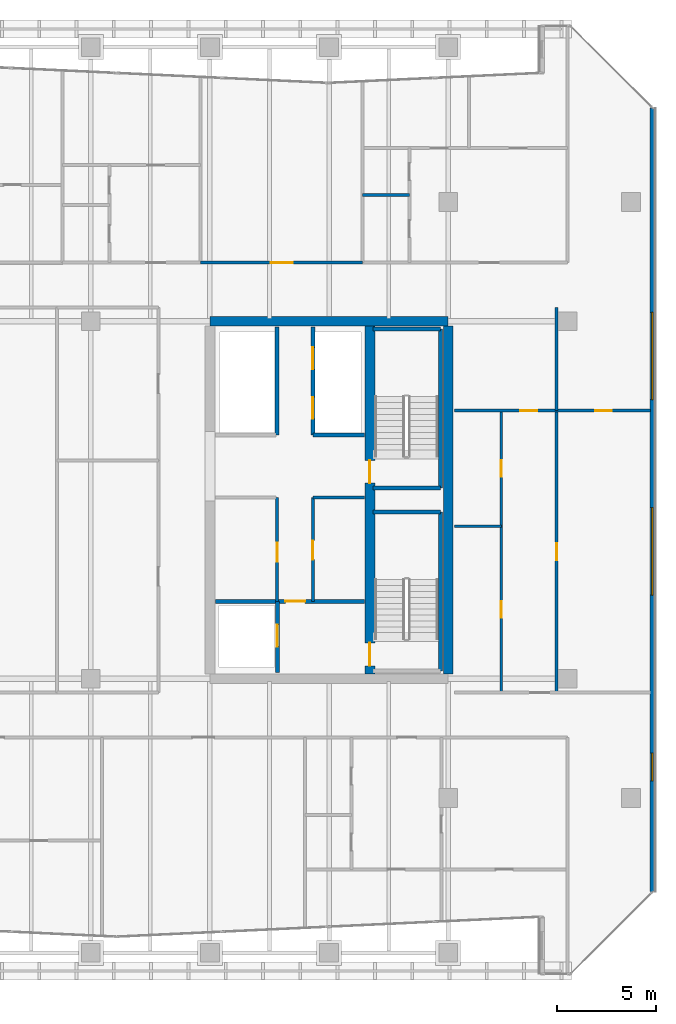
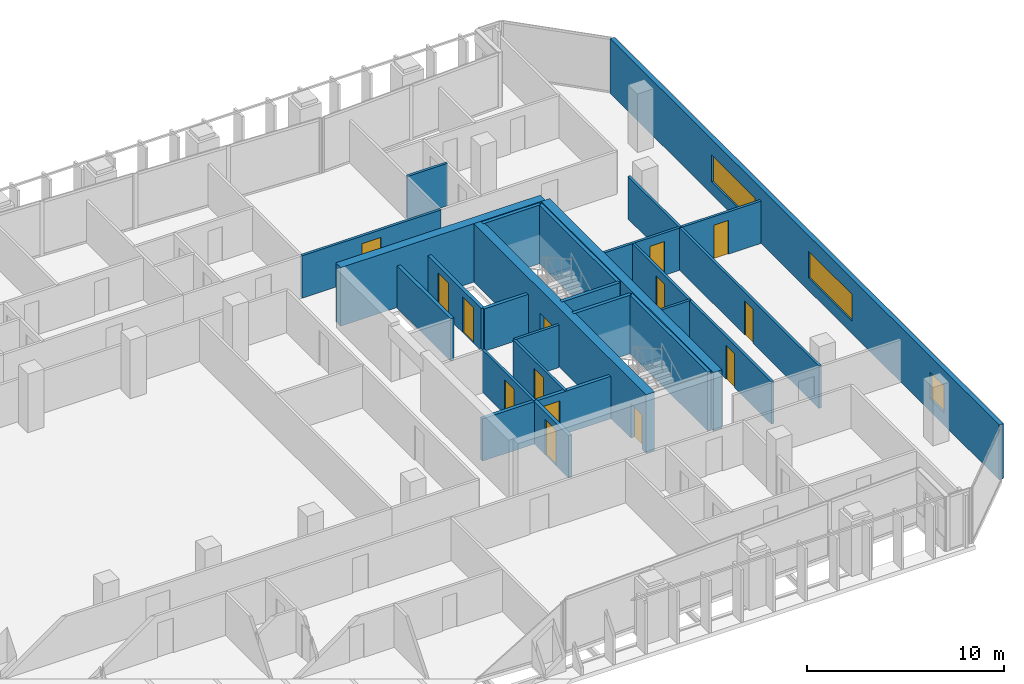
# One storey, part 31 of 39: 24 walls, 14 doors, 3 windows, 17 openings.
"""IFC4 building model written with IfcOpenShell, lengths in metres."""

from ifc_helpers import new_model, si_unit, direction, frame, frame_2d, origin, place, context, subcontext, project, spatial, rectangle, extrude, material, layer, layer_set, type_object, element, fill, save


model = new_model("IFC4")

# Units and contexts
model_context = context("Model", 3, precision=1e-05, world=origin(), true_north=direction((0.0, 1.0)))
body_context = subcontext(model_context, "Body", "Model", "MODEL_VIEW")
ifc_project = project(units=[si_unit("LENGTHUNIT", "METRE"), si_unit("AREAUNIT", "SQUARE_METRE"), si_unit("VOLUMEUNIT", "CUBIC_METRE"), si_unit("PLANEANGLEUNIT", "RADIAN"), si_unit("MASSUNIT", "GRAM", prefix="KILO")], contexts=[model_context])

# Site, building, storey
site_placement = place(None, origin())
site = spatial("IfcSite", under=ifc_project, at=site_placement, CompositionType="ELEMENT")
building_placement = place(site_placement, origin())
building = spatial("IfcBuilding", under=site, at=building_placement, Name="Tanjung Sevakor Pilgrim Tower", CompositionType="ELEMENT")
storey_placement = place(building_placement, frame((0.0, 0.0, 112.199951171875)))
storey = spatial("IfcBuildingStorey", under=building, at=storey_placement, Name="L31", CompositionType="ELEMENT", Elevation=112.199951171875)

# Walls
ifc_material_1 = material(Name="Concrete C60/75", Category="concrete")
ifc_layer_1 = layer(ifc_material_1, 0.5)
ifc_layer_set_1 = layer_set([ifc_layer_1], Name="WALL-CW-500")
wall_type_1 = type_object("IfcWallType", Name="WALL-CW-500", PredefinedType="SHEAR", material=ifc_layer_set_1)
wall_1_placement = place(storey_placement, frame((90.0, 42.60009765625, 0.0), z_axis=(0.0, 0.0, 1.0), x_axis=(-1.0, 0.0, 0.0)))
element("IfcWall", 1, at=wall_1_placement, inside=storey, type_object=wall_type_1, Name="L31 E Core North Shear Wall", PredefinedType="SHEAR", context=body_context, shape_type="SweptSolid", body=[
    extrude(rectangle(XDim=12.0, YDim=0.5, at=frame_2d((6.0, 0.0))), origin(), (0.0, 0.0, 1.0), 3.630126953125),
])
wall_2_placement = place(storey_placement, frame((90.0, 24.85009765625, 0.0), z_axis=(0.0, 0.0, 1.0), x_axis=(0.0, 1.0, 0.0)))
element("IfcWall", 2, at=wall_2_placement, inside=storey, type_object=wall_type_1, Name="L31 E Core Outer Shear Wall", PredefinedType="SHEAR", context=body_context, shape_type="SweptSolid", body=[
    extrude(rectangle(XDim=17.5, YDim=0.5, at=frame_2d((8.75, 0.0))), origin(), (0.0, 0.0, 1.0), 3.630126953125),
])

# Wall, openings, doors
wall_3_placement = place(storey_placement, frame((86.050048828125, 24.85009765625, 0.0), z_axis=(0.0, 0.0, 1.0), x_axis=(0.0, 1.0, 0.0)))
wall_3 = element("IfcWall", 3, at=wall_3_placement, inside=storey, type_object=wall_type_1, Name="L31 E Core Stair Spine Wall", PredefinedType="SHEAR", context=body_context, shape_type="SweptSolid", body=[
    extrude(rectangle(XDim=17.5, YDim=0.5, at=frame_2d((8.75, 0.0))), origin(), (0.0, 0.0, 1.0), 3.630126953125),
])
opening_1_placement = place(wall_3_placement, frame((0.39990234375, 0.0, 0.0)))
opening_1 = element("IfcOpeningElement", 4, at=opening_1_placement, cuts=wall_3, Name="Opening ID-ST1", PredefinedType="OPENING", context=body_context, shape_type="SweptSolid", body=[
    extrude(rectangle(XDim=1.14990234375, YDim=2.14990234375, at=frame_2d((0.574951171875, 1.074951171875))), frame((0.0, 0.260009765625, 0.0), z_axis=(0.0, -1.0, 0.0), x_axis=(1.0, 0.0, 0.0)), (0.0, 0.0, 1.0), 0.52001953125),
])
opening_2_placement = place(wall_3_placement, frame((9.60009765625, 0.0, 0.0)))
opening_2 = element("IfcOpeningElement", 5, at=opening_2_placement, cuts=wall_3, Name="Opening ID-ST1", PredefinedType="OPENING", context=body_context, shape_type="SweptSolid", body=[
    extrude(rectangle(XDim=1.14990234375, YDim=2.14990234375, at=frame_2d((0.574951171875, 1.074951171875))), frame((0.0, 0.260009765625, 0.0), z_axis=(0.0, -1.0, 0.0), x_axis=(1.0, 0.0, 0.0)), (0.0, 0.0, 1.0), 0.52001953125),
])
ifc_material_2 = material(Name="Fire-Rated Steel S355J2", Category="steel")
door_type_1 = type_object("IfcDoorType", Name="DT-FIRE-1150", OperationType="NOTDEFINED", PredefinedType="DOOR", material=ifc_material_2)
door_1_placement = place(opening_1_placement, origin())
door_1 = element("IfcDoor", 6, at=door_1_placement, inside=storey, type_object=door_type_1, Name="L31 TS-E1 Stair Fire Door", OperationType="SINGLE_SWING_RIGHT", OverallHeight=2.14990234375, OverallWidth=1.14990234375, PredefinedType="DOOR", context=body_context, shape_type="SweptSolid", body=[
    extrude(rectangle(XDim=1.14990234375, YDim=2.14990234375, at=frame_2d((0.574951171875, 1.074951171875))), frame((0.0, 0.02490234375, 0.0), z_axis=(0.0, -1.0, 0.0), x_axis=(1.0, 0.0, 0.0)), (0.0, 0.0, 1.0), 0.050048828125),
])
fill(opening_1, door_1)
door_2_placement = place(opening_2_placement, origin())
door_2 = element("IfcDoor", 7, at=door_2_placement, inside=storey, type_object=door_type_1, Name="L31 TS-E2 Stair Fire Door", OperationType="SINGLE_SWING_LEFT", OverallHeight=2.14990234375, OverallWidth=1.14990234375, PredefinedType="DOOR", context=body_context, shape_type="SweptSolid", body=[
    extrude(rectangle(XDim=1.14990234375, YDim=2.14990234375, at=frame_2d((0.574951171875, 1.074951171875))), frame((0.0, 0.02490234375, 0.0), z_axis=(0.0, -1.0, 0.0), x_axis=(1.0, 0.0, 0.0)), (0.0, 0.0, 1.0), 0.050048828125),
])
fill(opening_2, door_2)

# Wall
ifc_material_3 = material(Name="Concrete C40/50", Category="concrete")
ifc_layer_2 = layer(ifc_material_3, 0.14990234375)
ifc_layer_set_2 = layer_set([ifc_layer_2], Name="WT-COMP-150")
wall_type_2 = type_object("IfcWallType", Name="WT-COMP-150", PredefinedType="SOLIDWALL", material=ifc_layer_set_2)
wall_4_placement = place(storey_placement, frame((83.199951171875, 33.719970703125, 0.0), z_axis=(0.0, 0.0, 1.0), x_axis=(1.0, 0.0, 0.0)))
element("IfcWall", 8, at=wall_4_placement, inside=storey, type_object=wall_type_2, Name="L31 Partition IW-L31-013", PredefinedType="SOLIDWALL", context=body_context, shape_type="SweptSolid", body=[
    extrude(rectangle(XDim=2.580078125, YDim=0.14990234375, at=frame_2d((1.2900390625, 0.0))), origin(), (0.0, 0.0, 1.0), 2.6298828125),
])

# Wall, opening, door
wall_5_placement = place(storey_placement, frame((83.179931640625, 28.5, 0.0), z_axis=(0.0, 0.0, 1.0), x_axis=(0.0, 1.0, 0.0)))
wall_5 = element("IfcWall", 9, at=wall_5_placement, inside=storey, type_object=wall_type_2, Name="L31 Partition IW-L31-014", PredefinedType="SOLIDWALL", context=body_context, shape_type="SweptSolid", body=[
    extrude(rectangle(XDim=5.219970703125, YDim=0.14990234375, at=frame_2d((2.60986328125, 0.0))), origin(), (0.0, 0.0, 1.0), 2.6298828125),
])
opening_3_placement = place(wall_5_placement, frame((2.10009765625, 0.0, 0.0)))
opening_3 = element("IfcOpeningElement", 10, at=opening_3_placement, cuts=wall_5, Name="Opening ID-FD2", PredefinedType="OPENING", context=body_context, shape_type="SweptSolid", body=[
    extrude(rectangle(XDim=0.949951171875, YDim=2.14990234375, at=frame_2d((0.47509765625, 1.074951171875))), frame((0.0, 0.0849609375, 0.0), z_axis=(0.0, -1.0, 0.0), x_axis=(1.0, 0.0, 0.0)), (0.0, 0.0, 1.0), 0.169921875),
])
ifc_material_4 = material(Name="Fire-Rated Timber", Category="wood")
door_type_2 = type_object("IfcDoorType", Name="DT-FIRE-950", OperationType="NOTDEFINED", PredefinedType="DOOR", material=ifc_material_4)
door_3_placement = place(opening_3_placement, origin())
door_3 = element("IfcDoor", 11, at=door_3_placement, inside=storey, type_object=door_type_2, Name="L31 Housekeeping Pantry Door", OperationType="SINGLE_SWING_RIGHT", OverallHeight=2.14990234375, OverallWidth=0.949951171875, PredefinedType="DOOR", context=body_context, shape_type="SweptSolid", body=[
    extrude(rectangle(XDim=0.949951171875, YDim=2.14990234375, at=frame_2d((0.47509765625, 1.074951171875))), frame((0.0, 0.02490234375, 0.0), z_axis=(0.0, -1.0, 0.0), x_axis=(1.0, 0.0, 0.0)), (0.0, 0.0, 1.0), 0.050048828125),
])
fill(opening_3, door_3)

wall_6_placement = place(storey_placement, frame((81.3798828125, 28.5, 0.0), z_axis=(0.0, 0.0, 1.0), x_axis=(0.0, 1.0, 0.0)))
wall_6 = element("IfcWall", 12, at=wall_6_placement, inside=storey, type_object=wall_type_2, Name="L31 Partition IW-L31-016", PredefinedType="SOLIDWALL", context=body_context, shape_type="SweptSolid", body=[
    extrude(rectangle(XDim=5.219970703125, YDim=0.14990234375, at=frame_2d((2.60986328125, 0.0))), origin(), (0.0, 0.0, 1.0), 2.6298828125),
])
opening_4_placement = place(wall_6_placement, frame((2.0, 0.0, 0.0)))
opening_4 = element("IfcOpeningElement", 13, at=opening_4_placement, cuts=wall_6, Name="Opening ID-FD2", PredefinedType="OPENING", context=body_context, shape_type="SweptSolid", body=[
    extrude(rectangle(XDim=0.949951171875, YDim=2.14990234375, at=frame_2d((0.47509765625, 1.074951171875))), frame((0.0, 0.0849609375, 0.0), z_axis=(0.0, -1.0, 0.0), x_axis=(1.0, 0.0, 0.0)), (0.0, 0.0, 1.0), 0.169921875),
])
door_4_placement = place(opening_4_placement, origin())
door_4 = element("IfcDoor", 14, at=door_4_placement, inside=storey, type_object=door_type_2, Name="L31 Accessible WC Door", OperationType="SINGLE_SWING_LEFT", OverallHeight=2.14990234375, OverallWidth=0.949951171875, PredefinedType="DOOR", context=body_context, shape_type="SweptSolid", body=[
    extrude(rectangle(XDim=0.949951171875, YDim=2.14990234375, at=frame_2d((0.47509765625, 1.074951171875))), frame((0.0, 0.02490234375, 0.0), z_axis=(0.0, -1.0, 0.0), x_axis=(1.0, 0.0, 0.0)), (0.0, 0.0, 1.0), 0.050048828125),
])
fill(opening_4, door_4)

wall_7_placement = place(storey_placement, frame((77.536865234375, 45.550048828125, 0.0), z_axis=(0.0, 0.0, 1.0), x_axis=(1.0, 0.0, 0.0)))
wall_7 = element("IfcWall", 15, at=wall_7_placement, inside=storey, type_object=wall_type_2, Name="L31 Partition IW-L31-108", PredefinedType="SOLIDWALL", context=body_context, shape_type="SweptSolid", body=[
    extrude(rectangle(XDim=8.152587890625, YDim=0.14990234375, at=frame_2d((4.076171875, 0.0))), origin(), (0.0, 0.0, 1.0), 2.6298828125),
])
opening_5_placement = place(wall_7_placement, frame((3.5263671875, 0.0, 0.0)))
opening_5 = element("IfcOpeningElement", 16, at=opening_5_placement, cuts=wall_7, Name="Opening ID-FD0", PredefinedType="OPENING", context=body_context, shape_type="SweptSolid", body=[
    extrude(rectangle(XDim=1.10009765625, YDim=2.14990234375, at=frame_2d((0.550048828125, 1.074951171875))), frame((0.0, 0.0849609375, 0.0), z_axis=(0.0, -1.0, 0.0), x_axis=(1.0, 0.0, 0.0)), (0.0, 0.0, 1.0), 0.169921875),
])
ifc_material_5 = material(Name="Fire-Rated Steel S355J2", Category="steel")
door_type_3 = type_object("IfcDoorType", Name="DT-FIRE-1100", OperationType="NOTDEFINED", PredefinedType="DOOR", material=ifc_material_5)
door_5_placement = place(opening_5_placement, origin())
door_5 = element("IfcDoor", 17, at=door_5_placement, inside=storey, type_object=door_type_3, Name="Council Room Door", OperationType="SINGLE_SWING_RIGHT", OverallHeight=2.14990234375, OverallWidth=1.10009765625, PredefinedType="DOOR", context=body_context, shape_type="SweptSolid", body=[
    extrude(rectangle(XDim=1.10009765625, YDim=2.14990234375, at=frame_2d((0.550048828125, 1.074951171875))), frame((0.0, 0.02490234375, 0.0), z_axis=(0.0, -1.0, 0.0), x_axis=(1.0, 0.0, 0.0)), (0.0, 0.0, 1.0), 0.050048828125),
])
fill(opening_5, door_5)

# Wall, openings, windows
ifc_material_6 = material(Name="Precast concrete C45/55", Category="concrete")
ifc_layer_3 = layer(ifc_material_6, 0.25)
ifc_layer_set_3 = layer_set([ifc_layer_3], Name="WT-EW-STN3")
wall_type_3 = type_object("IfcWallType", Name="WT-EW-STN3", PredefinedType="SOLIDWALL", material=ifc_layer_set_3)
wall_8_placement = place(storey_placement, frame((100.27490234375, 13.851806640625, 0.0), z_axis=(0.0, 0.0, 1.0), x_axis=(0.0, 1.0, 0.0)))
wall_8 = element("IfcWall", 18, at=wall_8_placement, inside=storey, type_object=wall_type_3, Name="L31 MAIN Exterior Wall 17", PredefinedType="SOLIDWALL", context=body_context, shape_type="SweptSolid", body=[
    extrude(rectangle(XDim=39.496337890625, YDim=0.25, at=frame_2d((19.748046875, 0.0))), origin(), (0.0, 0.0, 1.0), 3.409912109375),
])
opening_6_placement = place(wall_8_placement, frame((14.958251953125, 0.0, 0.780029296875)))
opening_6 = element("IfcOpeningElement", 19, at=opening_6_placement, cuts=wall_8, Name="Opening WN-ENDW-1660", PredefinedType="OPENING", context=body_context, shape_type="SweptSolid", body=[
    extrude(rectangle(XDim=4.39990234375, YDim=1.659912109375, at=frame_2d((2.199951171875, 0.830078125))), frame((0.0, 0.135009765625, 0.0), z_axis=(0.0, -1.0, 0.0), x_axis=(1.0, 0.0, 0.0)), (0.0, 0.0, 1.0), 0.27001953125),
])
opening_7_placement = place(wall_8_placement, frame((24.798095703125, 0.0, 0.780029296875)))
opening_7 = element("IfcOpeningElement", 20, at=opening_7_placement, cuts=wall_8, Name="Opening WN-ENDW-1660", PredefinedType="OPENING", context=body_context, shape_type="SweptSolid", body=[
    extrude(rectangle(XDim=4.39990234375, YDim=1.659912109375, at=frame_2d((2.199951171875, 0.830078125))), frame((0.0, 0.135009765625, 0.0), z_axis=(0.0, -1.0, 0.0), x_axis=(1.0, 0.0, 0.0)), (0.0, 0.0, 1.0), 0.27001953125),
])
opening_8_placement = place(wall_8_placement, frame((5.60400390625, 0.0, 0.780029296875)))
opening_8 = element("IfcOpeningElement", 21, at=opening_8_placement, cuts=wall_8, Name="Opening WN-END", PredefinedType="OPENING", context=body_context, shape_type="SweptSolid", body=[
    extrude(rectangle(XDim=1.39990234375, YDim=1.64990234375, at=frame_2d((0.699951171875, 0.824951171875))), frame((0.0, 0.135009765625, 0.0), z_axis=(0.0, -1.0, 0.0), x_axis=(1.0, 0.0, 0.0)), (0.0, 0.0, 1.0), 0.27001953125),
])
ifc_material_7 = material(Name="Thermally Broken Aluminium and Low-E Glass", Category="aluminium")
window_type_1 = type_object("IfcWindowType", Name="WTYP-WN-END", PartitioningType="SINGLE_PANEL", PredefinedType="WINDOW", material=ifc_material_7)
window_1_placement = place(opening_8_placement, origin())
window_1 = element("IfcWindow", 22, at=window_1_placement, inside=storey, type_object=window_type_1, Name="L31 Facade Window 03", OverallHeight=1.64990234375, OverallWidth=1.39990234375, PartitioningType="SINGLE_PANEL", PredefinedType="WINDOW", context=body_context, shape_type="SweptSolid", body=[
    extrude(rectangle(XDim=1.39990234375, YDim=1.64990234375, at=frame_2d((0.699951171875, 0.824951171875))), frame((0.0, 0.030029296875, 0.0), z_axis=(0.0, -1.0, 0.0), x_axis=(1.0, 0.0, 0.0)), (0.0, 0.0, 1.0), 0.06005859375),
])
fill(opening_8, window_1)
ifc_material_8 = material(Name="Thermally Broken Aluminium and Low-E Glass", Category="aluminium")
window_type_2 = type_object("IfcWindowType", Name="WTYP-WN-ENDW-1660", PartitioningType="DOUBLE_PANEL_VERTICAL", PredefinedType="WINDOW", material=ifc_material_8)
window_2_placement = place(opening_6_placement, origin())
window_2 = element("IfcWindow", 23, at=window_2_placement, inside=storey, type_object=window_type_2, Name="L31 Facade Window 01", OverallHeight=1.659912109375, OverallWidth=4.39990234375, PartitioningType="SINGLE_PANEL", PredefinedType="WINDOW", context=body_context, shape_type="SweptSolid", body=[
    extrude(rectangle(XDim=4.39990234375, YDim=1.659912109375, at=frame_2d((2.199951171875, 0.830078125))), frame((0.0, 0.030029296875, 0.0), z_axis=(0.0, -1.0, 0.0), x_axis=(1.0, 0.0, 0.0)), (0.0, 0.0, 1.0), 0.06005859375),
])
fill(opening_6, window_2)
window_3_placement = place(opening_7_placement, origin())
window_3 = element("IfcWindow", 24, at=window_3_placement, inside=storey, type_object=window_type_2, Name="L31 Facade Window 02", OverallHeight=1.659912109375, OverallWidth=4.39990234375, PartitioningType="SINGLE_PANEL", PredefinedType="WINDOW", context=body_context, shape_type="SweptSolid", body=[
    extrude(rectangle(XDim=4.39990234375, YDim=1.659912109375, at=frame_2d((2.199951171875, 0.830078125))), frame((0.0, 0.030029296875, 0.0), z_axis=(0.0, -1.0, 0.0), x_axis=(1.0, 0.0, 0.0)), (0.0, 0.0, 1.0), 0.06005859375),
])
fill(opening_7, window_3)

# Walls
ifc_material_9 = material(Name="Concrete C40/50", Category="concrete")
ifc_layer_4 = layer(ifc_material_9, 0.199951171875)
ifc_layer_set_4 = layer_set([ifc_layer_4], Name="WT-FIRE-200")
wall_type_4 = type_object("IfcWallType", Name="WT-FIRE-200", PredefinedType="SOLIDWALL", material=ifc_layer_set_4)
wall_9_placement = place(storey_placement, frame((89.60009765625, 25.0, 0.0), z_axis=(0.0, 0.0, 1.0), x_axis=(0.0, 1.0, 0.0)))
element("IfcWall", 25, at=wall_9_placement, inside=storey, type_object=wall_type_4, Name="L31 TS-E1 Shaft Wall 2", PredefinedType="SOLIDWALL", context=body_context, shape_type="SweptSolid", body=[
    extrude(rectangle(XDim=8.0, YDim=0.199951171875, at=frame_2d((4.0, 0.0))), origin(), (0.0, 0.0, 1.0), 3.630126953125),
])
for number, where, z_axis, x_axis, name in (
    (26, (89.60009765625, 33.0, 0.0), (0.0, 0.0, 1.0), (-1.0, 0.0, 0.0), "L31 TS-E1 Shaft Wall 3"),
    (27, (86.199951171875, 34.199951171875, 0.0), (0.0, 0.0, 1.0), (1.0, 0.0, 0.0), "L31 TS-E2 Shaft Wall 1"),
):
    element("IfcWall", number, at=place(storey_placement, frame(where, z_axis=z_axis, x_axis=x_axis)), inside=storey, type_object=wall_type_4, Name=name, PredefinedType="SOLIDWALL", context=body_context, shape_type="SweptSolid", body=[
        extrude(rectangle(XDim=3.400146484375, YDim=0.199951171875, at=frame_2d((1.7001953125, 0.0))), origin(), (0.0, 0.0, 1.0), 3.630126953125),
    ])
wall_10_placement = place(storey_placement, frame((89.60009765625, 34.199951171875, 0.0), z_axis=(0.0, 0.0, 1.0), x_axis=(0.0, 1.0, 0.0)))
element("IfcWall", 28, at=wall_10_placement, inside=storey, type_object=wall_type_4, Name="L31 TS-E2 Shaft Wall 2", PredefinedType="SOLIDWALL", context=body_context, shape_type="SweptSolid", body=[
    extrude(rectangle(XDim=8.0, YDim=0.199951171875, at=frame_2d((4.0, 0.0))), origin(), (0.0, 0.0, 1.0), 3.630126953125),
])
wall_11_placement = place(storey_placement, frame((89.60009765625, 42.199951171875, 0.0), z_axis=(0.0, 0.0, 1.0), x_axis=(-1.0, 0.0, 0.0)))
element("IfcWall", 29, at=wall_11_placement, inside=storey, type_object=wall_type_4, Name="L31 TS-E2 Shaft Wall 3", PredefinedType="SOLIDWALL", context=body_context, shape_type="SweptSolid", body=[
    extrude(rectangle(XDim=3.400146484375, YDim=0.199951171875, at=frame_2d((1.7001953125, 0.0))), origin(), (0.0, 0.0, 1.0), 3.630126953125),
])

# Wall, opening, door
ifc_material_10 = material(Name="Concrete C40/50", Category="concrete")
ifc_layer_5 = layer(ifc_material_10, 0.199951171875)
ifc_layer_set_5 = layer_set([ifc_layer_5], Name="WT-FPRT-200")
wall_type_5 = type_object("IfcWallType", Name="WT-FPRT-200", PredefinedType="SOLIDWALL", material=ifc_layer_set_5)
wall_12_placement = place(storey_placement, frame((81.39990234375, 24.919921875, 0.0), z_axis=(0.0, 0.0, 1.0), x_axis=(0.0, 1.0, 0.0)))
wall_12 = element("IfcWall", 30, at=wall_12_placement, inside=storey, type_object=wall_type_5, Name="L31 Partition IW-L31-011", PredefinedType="SOLIDWALL", context=body_context, shape_type="SweptSolid", body=[
    extrude(rectangle(XDim=3.580078125, YDim=0.199951171875, at=frame_2d((1.7900390625, 0.0))), origin(), (0.0, 0.0, 1.0), 2.6298828125),
])
opening_9_placement = place(wall_12_placement, frame((1.300048828125, 0.0, 0.0)))
opening_9 = element("IfcOpeningElement", 31, at=opening_9_placement, cuts=wall_12, Name="Opening LD-1100", PredefinedType="OPENING", context=body_context, shape_type="SweptSolid", body=[
    extrude(rectangle(XDim=1.10009765625, YDim=2.199951171875, at=frame_2d((0.550048828125, 1.10009765625))), frame((0.0, 0.10986328125, 0.0), z_axis=(0.0, -1.0, 0.0), x_axis=(1.0, 0.0, 0.0)), (0.0, 0.0, 1.0), 0.219970703125),
])
ifc_material_11 = material(Name="Brushed Stainless Steel S355J2", Category="steel")
door_type_4 = type_object("IfcDoorType", Name="DT-LIFT-1100", OperationType="SLIDING_TO_LEFT", PredefinedType="DOOR", material=ifc_material_11)
door_6_placement = place(opening_9_placement, origin())
door_6 = element("IfcDoor", 32, at=door_6_placement, inside=storey, type_object=door_type_4, Name="LD-FL-E", OperationType="SLIDING_TO_LEFT", OverallHeight=2.199951171875, OverallWidth=1.10009765625, PredefinedType="DOOR", context=body_context, shape_type="SweptSolid", body=[
    extrude(rectangle(XDim=1.10009765625, YDim=2.199951171875, at=frame_2d((0.550048828125, 1.10009765625))), frame((0.0, 0.02490234375, 0.0), z_axis=(0.0, -1.0, 0.0), x_axis=(1.0, 0.0, 0.0)), (0.0, 0.0, 1.0), 0.050048828125),
])
fill(opening_9, door_6)

wall_13_placement = place(storey_placement, frame((78.27001953125, 28.5, 0.0), z_axis=(0.0, 0.0, 1.0), x_axis=(1.0, 0.0, 0.0)))
wall_13 = element("IfcWall", 33, at=wall_13_placement, inside=storey, type_object=wall_type_5, Name="L31 Partition IW-L31-012", PredefinedType="SOLIDWALL", context=body_context, shape_type="SweptSolid", body=[
    extrude(rectangle(XDim=7.510009765625, YDim=0.199951171875, at=frame_2d((3.7548828125, 0.0))), origin(), (0.0, 0.0, 1.0), 2.6298828125),
])
opening_10_placement = place(wall_13_placement, frame((3.530029296875, 0.0, 0.0)))
opening_10 = element("IfcOpeningElement", 34, at=opening_10_placement, cuts=wall_13, Name="Opening ID-FD1", PredefinedType="OPENING", context=body_context, shape_type="SweptSolid", body=[
    extrude(rectangle(XDim=1.0, YDim=2.14990234375, at=frame_2d((0.5, 1.074951171875))), frame((0.0, 0.10986328125, 0.0), z_axis=(0.0, -1.0, 0.0), x_axis=(1.0, 0.0, 0.0)), (0.0, 0.0, 1.0), 0.219970703125),
])
ifc_material_12 = material(Name="Fire-Rated Steel S355J2", Category="steel")
door_type_5 = type_object("IfcDoorType", Name="DT-FIRE-1000", OperationType="NOTDEFINED", PredefinedType="DOOR", material=ifc_material_12)
door_7_placement = place(opening_10_placement, origin())
door_7 = element("IfcDoor", 35, at=door_7_placement, inside=storey, type_object=door_type_5, Name="Fire Lobby Door E", OperationType="SINGLE_SWING_LEFT", OverallHeight=2.14990234375, OverallWidth=1.0, PredefinedType="DOOR", context=body_context, shape_type="SweptSolid", body=[
    extrude(rectangle(XDim=1.0, YDim=2.14990234375, at=frame_2d((0.5, 1.074951171875))), frame((0.0, 0.02490234375, 0.0), z_axis=(0.0, -1.0, 0.0), x_axis=(1.0, 0.0, 0.0)), (0.0, 0.0, 1.0), 0.050048828125),
])
fill(opening_10, door_7)

# Wall
wall_14_placement = place(storey_placement, frame((83.199951171875, 36.8798828125, 0.0), z_axis=(0.0, 0.0, 1.0), x_axis=(1.0, 0.0, 0.0)))
element("IfcWall", 36, at=wall_14_placement, inside=storey, type_object=wall_type_5, Name="L31 Partition IW-L31-017", PredefinedType="SOLIDWALL", context=body_context, shape_type="SweptSolid", body=[
    extrude(rectangle(XDim=2.580078125, YDim=0.199951171875, at=frame_2d((1.2900390625, 0.0))), origin(), (0.0, 0.0, 1.0), 2.6298828125),
])

# Wall, openings, doors
wall_15_placement = place(storey_placement, frame((83.179931640625, 36.8798828125, 0.0), z_axis=(0.0, 0.0, 1.0), x_axis=(0.0, 1.0, 0.0)))
wall_15 = element("IfcWall", 37, at=wall_15_placement, inside=storey, type_object=wall_type_5, Name="L31 Partition IW-L31-018", PredefinedType="SOLIDWALL", context=body_context, shape_type="SweptSolid", body=[
    extrude(rectangle(XDim=5.420166015625, YDim=0.199951171875, at=frame_2d((2.7099609375, 0.0))), origin(), (0.0, 0.0, 1.0), 2.6298828125),
])
opening_11_placement = place(wall_15_placement, frame((0.800048828125, 0.0, 0.0)))
opening_11 = element("IfcOpeningElement", 38, at=opening_11_placement, cuts=wall_15, Name="Opening LD-1100", PredefinedType="OPENING", context=body_context, shape_type="SweptSolid", body=[
    extrude(rectangle(XDim=1.10009765625, YDim=2.199951171875, at=frame_2d((0.550048828125, 1.10009765625))), frame((0.0, 0.10986328125, 0.0), z_axis=(0.0, -1.0, 0.0), x_axis=(1.0, 0.0, 0.0)), (0.0, 0.0, 1.0), 0.219970703125),
])
opening_12_placement = place(wall_15_placement, frame((3.300048828125, 0.0, 0.0)))
opening_12 = element("IfcOpeningElement", 39, at=opening_12_placement, cuts=wall_15, Name="Opening LD-1100", PredefinedType="OPENING", context=body_context, shape_type="SweptSolid", body=[
    extrude(rectangle(XDim=1.10009765625, YDim=2.199951171875, at=frame_2d((0.550048828125, 1.10009765625))), frame((0.0, 0.10986328125, 0.0), z_axis=(0.0, -1.0, 0.0), x_axis=(1.0, 0.0, 0.0)), (0.0, 0.0, 1.0), 0.219970703125),
])
door_8_placement = place(opening_11_placement, origin())
door_8 = element("IfcDoor", 40, at=door_8_placement, inside=storey, type_object=door_type_4, Name="LD-PLM1-E", OperationType="SLIDING_TO_LEFT", OverallHeight=2.199951171875, OverallWidth=1.10009765625, PredefinedType="DOOR", context=body_context, shape_type="SweptSolid", body=[
    extrude(rectangle(XDim=1.10009765625, YDim=2.199951171875, at=frame_2d((0.550048828125, 1.10009765625))), frame((0.0, 0.02490234375, 0.0), z_axis=(0.0, -1.0, 0.0), x_axis=(1.0, 0.0, 0.0)), (0.0, 0.0, 1.0), 0.050048828125),
])
fill(opening_11, door_8)
door_9_placement = place(opening_12_placement, origin())
door_9 = element("IfcDoor", 41, at=door_9_placement, inside=storey, type_object=door_type_4, Name="LD-PLM2-E", OperationType="SLIDING_TO_RIGHT", OverallHeight=2.199951171875, OverallWidth=1.10009765625, PredefinedType="DOOR", context=body_context, shape_type="SweptSolid", body=[
    extrude(rectangle(XDim=1.10009765625, YDim=2.199951171875, at=frame_2d((0.550048828125, 1.10009765625))), frame((0.0, 0.02490234375, 0.0), z_axis=(0.0, -1.0, 0.0), x_axis=(1.0, 0.0, 0.0)), (0.0, 0.0, 1.0), 0.050048828125),
])
fill(opening_12, door_9)

# Wall
wall_16_placement = place(storey_placement, frame((81.3798828125, 36.8798828125, 0.0), z_axis=(0.0, 0.0, 1.0), x_axis=(0.0, 1.0, 0.0)))
element("IfcWall", 42, at=wall_16_placement, inside=storey, type_object=wall_type_5, Name="L31 Partition IW-L31-020", PredefinedType="SOLIDWALL", context=body_context, shape_type="SweptSolid", body=[
    extrude(rectangle(XDim=5.420166015625, YDim=0.199951171875, at=frame_2d((2.7099609375, 0.0))), origin(), (0.0, 0.0, 1.0), 2.6298828125),
])

# Wall, opening, door
ifc_material_13 = material(Name="Gypsum Board Partition", Category="gypsum board")
ifc_layer_6 = layer(ifc_material_13, 0.14990234375)
ifc_layer_set_6 = layer_set([ifc_layer_6], Name="WT-PART-150")
wall_type_6 = type_object("IfcWallType", Name="WT-PART-150", PredefinedType="PARTITIONING", material=ifc_layer_set_6)
wall_17_placement = place(storey_placement, frame((95.452392578125, 23.89990234375, 0.0), z_axis=(0.0, 0.0, 1.0), x_axis=(0.0, 1.0, 0.0)))
wall_17 = element("IfcWall", 43, at=wall_17_placement, inside=storey, type_object=wall_type_6, Name="L31 Partition IW-L31-036", PredefinedType="PARTITIONING", context=body_context, shape_type="SweptSolid", body=[
    extrude(rectangle(XDim=14.2001953125, YDim=0.14990234375, at=frame_2d((7.10009765625, 0.0))), origin(), (0.0, 0.0, 1.0), 2.6298828125),
])
opening_13_placement = place(wall_17_placement, frame((6.675048828125, 0.0, 0.0)))
opening_13 = element("IfcOpeningElement", 44, at=opening_13_placement, cuts=wall_17, Name="Opening ID-WC1", PredefinedType="OPENING", context=body_context, shape_type="SweptSolid", body=[
    extrude(rectangle(XDim=0.85009765625, YDim=2.10009765625, at=frame_2d((0.425048828125, 1.050048828125))), frame((0.0, 0.0849609375, 0.0), z_axis=(0.0, -1.0, 0.0), x_axis=(1.0, 0.0, 0.0)), (0.0, 0.0, 1.0), 0.169921875),
])
ifc_material_14 = material(Name="Moisture-Resistant Timber", Category="wood")
door_type_6 = type_object("IfcDoorType", Name="DT-INT-850", OperationType="NOTDEFINED", PredefinedType="DOOR", material=ifc_material_14)
door_10_placement = place(opening_13_placement, origin())
door_10 = element("IfcDoor", 45, at=door_10_placement, inside=storey, type_object=door_type_6, Name="Suite Study Room Door", OperationType="SINGLE_SWING_RIGHT", OverallHeight=2.10009765625, OverallWidth=0.85009765625, PredefinedType="DOOR", context=body_context, shape_type="SweptSolid", body=[
    extrude(rectangle(XDim=0.85009765625, YDim=2.10009765625, at=frame_2d((0.425048828125, 1.050048828125))), frame((0.0, 0.02490234375, 0.0), z_axis=(0.0, -1.0, 0.0), x_axis=(1.0, 0.0, 0.0)), (0.0, 0.0, 1.0), 0.050048828125),
])
fill(opening_13, door_10)

# Wall
wall_18_placement = place(storey_placement, frame((90.320068359375, 32.278076171875, 0.0), z_axis=(0.0, 0.0, 1.0), x_axis=(1.0, 0.0, 0.0)))
element("IfcWall", 46, at=wall_18_placement, inside=storey, type_object=wall_type_6, Name="L31 Partition IW-L31-037", PredefinedType="PARTITIONING", context=body_context, shape_type="SweptSolid", body=[
    extrude(rectangle(XDim=2.349853515625, YDim=0.14990234375, at=frame_2d((1.1748046875, 0.0))), origin(), (0.0, 0.0, 1.0), 2.6298828125),
])

# Wall, openings, doors
wall_19_placement = place(storey_placement, frame((92.669921875, 23.89990234375, 0.0), z_axis=(0.0, 0.0, 1.0), x_axis=(0.0, 1.0, 0.0)))
wall_19 = element("IfcWall", 47, at=wall_19_placement, inside=storey, type_object=wall_type_6, Name="L31 Partition IW-L31-038", PredefinedType="PARTITIONING", context=body_context, shape_type="SweptSolid", body=[
    extrude(rectangle(XDim=14.2001953125, YDim=0.14990234375, at=frame_2d((7.10009765625, 0.0))), origin(), (0.0, 0.0, 1.0), 2.6298828125),
])
opening_14_placement = place(wall_19_placement, frame((3.763916015625, 0.0, 0.0)))
opening_14 = element("IfcOpeningElement", 48, at=opening_14_placement, cuts=wall_19, Name="Opening ID-WC1", PredefinedType="OPENING", context=body_context, shape_type="SweptSolid", body=[
    extrude(rectangle(XDim=0.85009765625, YDim=2.10009765625, at=frame_2d((0.425048828125, 1.050048828125))), frame((0.0, 0.0849609375, 0.0), z_axis=(0.0, -1.0, 0.0), x_axis=(1.0, 0.0, 0.0)), (0.0, 0.0, 1.0), 0.169921875),
])
opening_15_placement = place(wall_19_placement, frame((10.864013671875, 0.0, 0.0)))
opening_15 = element("IfcOpeningElement", 49, at=opening_15_placement, cuts=wall_19, Name="Opening ID-WC1", PredefinedType="OPENING", context=body_context, shape_type="SweptSolid", body=[
    extrude(rectangle(XDim=0.85009765625, YDim=2.10009765625, at=frame_2d((0.425048828125, 1.050048828125))), frame((0.0, 0.0849609375, 0.0), z_axis=(0.0, -1.0, 0.0), x_axis=(1.0, 0.0, 0.0)), (0.0, 0.0, 1.0), 0.169921875),
])
door_11_placement = place(opening_14_placement, origin())
door_11 = element("IfcDoor", 50, at=door_11_placement, inside=storey, type_object=door_type_6, Name="Suite Kitchenette Door", OperationType="SINGLE_SWING_LEFT", OverallHeight=2.10009765625, OverallWidth=0.85009765625, PredefinedType="DOOR", context=body_context, shape_type="SweptSolid", body=[
    extrude(rectangle(XDim=0.85009765625, YDim=2.10009765625, at=frame_2d((0.425048828125, 1.050048828125))), frame((0.0, 0.02490234375, 0.0), z_axis=(0.0, -1.0, 0.0), x_axis=(1.0, 0.0, 0.0)), (0.0, 0.0, 1.0), 0.050048828125),
])
fill(opening_14, door_11)
door_12_placement = place(opening_15_placement, origin())
door_12 = element("IfcDoor", 51, at=door_12_placement, inside=storey, type_object=door_type_6, Name="Suite Bathroom Door", OperationType="SINGLE_SWING_RIGHT", OverallHeight=2.10009765625, OverallWidth=0.85009765625, PredefinedType="DOOR", context=body_context, shape_type="SweptSolid", body=[
    extrude(rectangle(XDim=0.85009765625, YDim=2.10009765625, at=frame_2d((0.425048828125, 1.050048828125))), frame((0.0, 0.02490234375, 0.0), z_axis=(0.0, -1.0, 0.0), x_axis=(1.0, 0.0, 0.0)), (0.0, 0.0, 1.0), 0.050048828125),
])
fill(opening_15, door_12)

# Wall
wall_20_placement = place(storey_placement, frame((95.452392578125, 38.10009765625, 0.0), z_axis=(0.0, 0.0, 1.0), x_axis=(0.0, 1.0, 0.0)))
element("IfcWall", 52, at=wall_20_placement, inside=storey, type_object=wall_type_6, Name="L31 Partition IW-L31-039", PredefinedType="PARTITIONING", context=body_context, shape_type="SweptSolid", body=[
    extrude(rectangle(XDim=5.199951171875, YDim=0.14990234375, at=frame_2d((2.60009765625, 0.0))), origin(), (0.0, 0.0, 1.0), 2.6298828125),
])

# Wall, openings, doors
wall_21_placement = place(storey_placement, frame((90.320068359375, 38.10009765625, 0.0), z_axis=(0.0, 0.0, 1.0), x_axis=(1.0, 0.0, 0.0)))
wall_21 = element("IfcWall", 53, at=wall_21_placement, inside=storey, type_object=wall_type_6, Name="L31 Partition IW-L31-040", PredefinedType="PARTITIONING", context=body_context, shape_type="SweptSolid", body=[
    extrude(rectangle(XDim=9.869873046875, YDim=0.14990234375, at=frame_2d((4.93505859375, 0.0))), origin(), (0.0, 0.0, 1.0), 2.6298828125),
])
opening_16_placement = place(wall_21_placement, frame((3.316162109375, 0.0, 0.0)))
opening_16 = element("IfcOpeningElement", 54, at=opening_16_placement, cuts=wall_21, Name="Opening ID-WC1", PredefinedType="OPENING", context=body_context, shape_type="SweptSolid", body=[
    extrude(rectangle(XDim=0.85009765625, YDim=2.10009765625, at=frame_2d((0.425048828125, 1.050048828125))), frame((0.0, 0.0849609375, 0.0), z_axis=(0.0, -1.0, 0.0), x_axis=(1.0, 0.0, 0.0)), (0.0, 0.0, 1.0), 0.169921875),
])
opening_17_placement = place(wall_21_placement, frame((7.076171875, 0.0, 0.0)))
opening_17 = element("IfcOpeningElement", 55, at=opening_17_placement, cuts=wall_21, Name="Opening ID-WC1", PredefinedType="OPENING", context=body_context, shape_type="SweptSolid", body=[
    extrude(rectangle(XDim=0.85009765625, YDim=2.10009765625, at=frame_2d((0.425048828125, 1.050048828125))), frame((0.0, 0.0849609375, 0.0), z_axis=(0.0, -1.0, 0.0), x_axis=(1.0, 0.0, 0.0)), (0.0, 0.0, 1.0), 0.169921875),
])
door_13_placement = place(opening_16_placement, origin())
door_13 = element("IfcDoor", 56, at=door_13_placement, inside=storey, type_object=door_type_6, Name="Suite Bedroom 1 Door", OperationType="SINGLE_SWING_LEFT", OverallHeight=2.10009765625, OverallWidth=0.85009765625, PredefinedType="DOOR", context=body_context, shape_type="SweptSolid", body=[
    extrude(rectangle(XDim=0.85009765625, YDim=2.10009765625, at=frame_2d((0.425048828125, 1.050048828125))), frame((0.0, 0.02490234375, 0.0), z_axis=(0.0, -1.0, 0.0), x_axis=(1.0, 0.0, 0.0)), (0.0, 0.0, 1.0), 0.050048828125),
])
fill(opening_16, door_13)
door_14_placement = place(opening_17_placement, origin())
door_14 = element("IfcDoor", 57, at=door_14_placement, inside=storey, type_object=door_type_6, Name="Suite Bedroom 2 Door", OperationType="SINGLE_SWING_RIGHT", OverallHeight=2.10009765625, OverallWidth=0.85009765625, PredefinedType="DOOR", context=body_context, shape_type="SweptSolid", body=[
    extrude(rectangle(XDim=0.85009765625, YDim=2.10009765625, at=frame_2d((0.425048828125, 1.050048828125))), frame((0.0, 0.02490234375, 0.0), z_axis=(0.0, -1.0, 0.0), x_axis=(1.0, 0.0, 0.0)), (0.0, 0.0, 1.0), 0.050048828125),
])
fill(opening_17, door_14)

# Wall
wall_22_placement = place(storey_placement, frame((85.689453125, 48.954345703125, 0.0), z_axis=(0.0, 0.0, 1.0), x_axis=(1.0, 0.0, 0.0)))
element("IfcWall", 58, at=wall_22_placement, inside=storey, type_object=wall_type_6, Name="L31 Partition IW-L31-109", PredefinedType="PARTITIONING", context=body_context, shape_type="SweptSolid", body=[
    extrude(rectangle(XDim=2.35009765625, YDim=0.14990234375, at=frame_2d((1.175048828125, 0.0))), origin(), (0.0, 0.0, 1.0), 2.6298828125),
])

save(model, "model.ifc")
